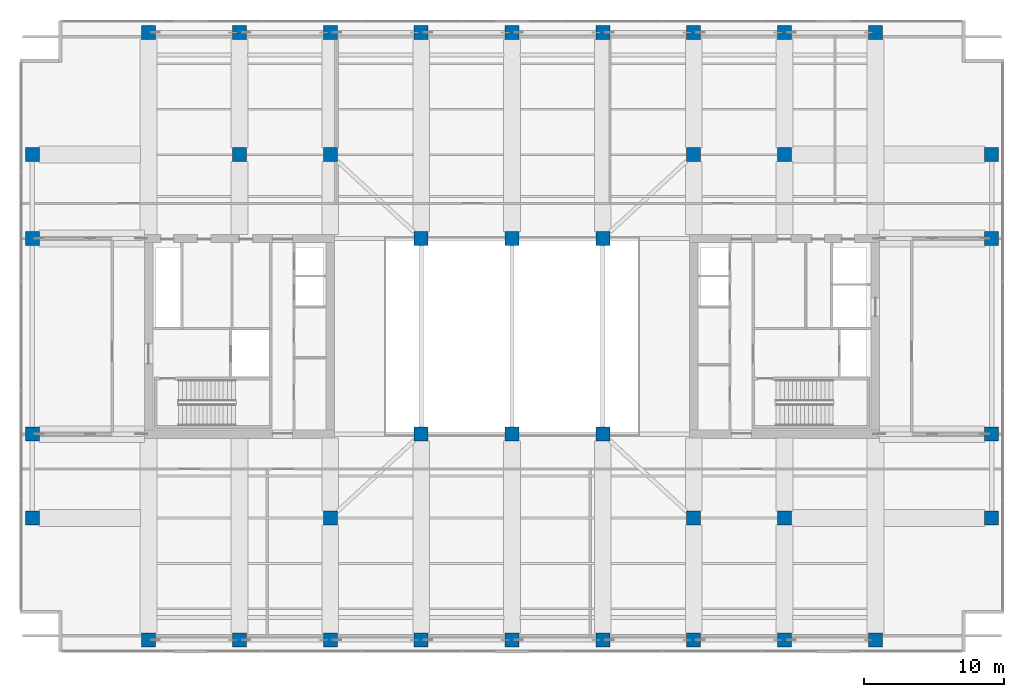
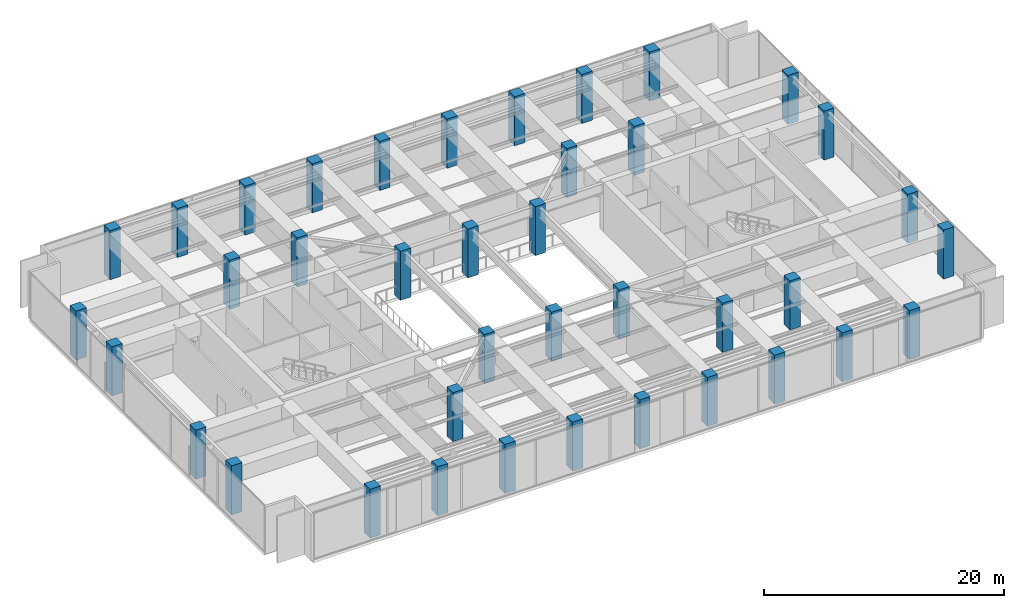
# One storey, part 1 of 28: 39 columns.
"""IFC4 building model written with IfcOpenShell, lengths in metres."""

import ifcopenshell
import ifcopenshell.guid

model = None  # the IFC model being written
_history = None  # IfcOwnerHistory: only IFC2X3 demands one
_inside = {}  # id of a spatial element -> (the spatial element, [elements in it])
_under = {}  # id of a project, library or spatial element -> (it, [spatial elements below it])
_declared = {}  # id of a project -> (the project, [libraries it declares])
_typed = {}  # id of a type object -> (the type object, [elements of that type])
_made_of = {}  # id of a material, layer set ... -> (it, [elements and type objects made of it])


def new_model(schema):
    """Start an empty IFC model of exactly this schema.

    Asked for "IFC4X3", IfcOpenShell would pick the latest addendum, in which some entities
    have other attributes; the version numbers below select the first issue.
    IFC2X3 requires an IfcOwnerHistory on every rooted entity: one is made here for all.
    """
    global model, _history
    if schema == "IFC4X3":
        model = ifcopenshell.file(schema_version=(4, 3, 0, 0))
    else:
        model = ifcopenshell.file(schema=schema)
    _inside.clear()
    _under.clear()
    _declared.clear()
    _typed.clear()
    _made_of.clear()
    _history = None
    if model.schema == "IFC2X3":
        org = make("IfcOrganization", Name="unknown")
        user = make(
            "IfcPersonAndOrganization",
            ThePerson=make("IfcPerson", FamilyName="unknown"),
            TheOrganization=org,
        )
        app = make(
            "IfcApplication",
            ApplicationDeveloper=org,
            Version="unknown",
            ApplicationFullName="unknown",
            ApplicationIdentifier="unknown",
        )
        _history = make(
            "IfcOwnerHistory",
            OwningUser=user,
            OwningApplication=app,
            ChangeAction="ADDED",
            CreationDate=0,
        )
    return model


def make(cls, **values):
    """One entity of the class cls with the attributes given. An attribute that is None is left unset."""
    return model.create_entity(
        cls, **{name: value for name, value in values.items() if value is not None}
    )


def rooted(cls, **values):
    """An entity with a GlobalId (a new one), such as an element, a storey or a relation."""
    return make(cls, GlobalId=ifcopenshell.guid.new(), OwnerHistory=_history, **values)


def si_unit(unit_type, name, prefix=None):
    """IfcSIUnit, for example si_unit("LENGTHUNIT", "METRE", prefix="MILLI")."""
    return make("IfcSIUnit", UnitType=unit_type, Prefix=prefix, Name=name)


def assignment(units):
    """IfcUnitAssignment: the units of a project."""
    return None if units is None else make("IfcUnitAssignment", Units=units)


def point(xyz):
    """IfcCartesianPoint."""
    return None if xyz is None else make("IfcCartesianPoint", Coordinates=xyz)


def direction(xyz):
    """IfcDirection."""
    return None if xyz is None else make("IfcDirection", DirectionRatios=xyz)


def frame(location, z_axis=None, x_axis=None):
    """IfcAxis2Placement3D, a coordinate frame: its origin and axes. An axis left out is left unset."""
    return make(
        "IfcAxis2Placement3D",
        Location=point(location),
        Axis=direction(z_axis),
        RefDirection=direction(x_axis),
    )


def frame_2d(location, x_axis=None):
    """IfcAxis2Placement2D, a coordinate frame in the plane: its origin and x axis."""
    return make(
        "IfcAxis2Placement2D", Location=point(location), RefDirection=direction(x_axis)
    )


def origin():
    """The frame at (0, 0, 0) with its axes left unset."""
    return frame((0.0, 0.0, 0.0))


def origin_2d():
    """The frame at (0, 0) in the plane with its x axis left unset."""
    return frame_2d((0.0, 0.0))


def place(relative_to, where):
    """IfcLocalPlacement: puts the frame where relative to a parent placement (None: the world)."""
    return make(
        "IfcLocalPlacement", PlacementRelTo=relative_to, RelativePlacement=where
    )


def context(
    kind, dimensions, precision=None, world=None, true_north=None, identifier=None
):
    """IfcGeometricRepresentationContext, for example the 3D "Model" context."""
    return make(
        "IfcGeometricRepresentationContext",
        ContextIdentifier=identifier,
        ContextType=kind,
        CoordinateSpaceDimension=dimensions,
        Precision=precision,
        WorldCoordinateSystem=world,
        TrueNorth=true_north,
    )


def subcontext(parent, identifier, kind, view, scale=None):
    """IfcGeometricRepresentationSubContext, for example "Body" below "Model"."""
    return make(
        "IfcGeometricRepresentationSubContext",
        ContextIdentifier=identifier,
        ContextType=kind,
        ParentContext=parent,
        TargetScale=scale,
        TargetView=view,
    )


def project(units=None, contexts=None):
    """IfcProject with its units and contexts."""
    return rooted(
        "IfcProject",
        Name="project",
        RepresentationContexts=contexts,
        UnitsInContext=assignment(units),
    )


def spatial(cls, under=None, at=None, **own):
    """A site, building, storey or space (cls), placed at a placement, below another one or the project."""
    s = rooted(cls, ObjectPlacement=at, **own)
    if under is not None:
        _under.setdefault(under.id(), (under, []))[1].append(s)
    return s


def profile(cls, at=None, kind="AREA", **sizes):
    """A parametric profile (cls). Its sizes go by their IFC names, for example OverallWidth=200.0."""
    return make(cls, ProfileType=kind, Position=at, **sizes)


def rectangle(**sizes):
    """IfcRectangleProfileDef."""
    return profile("IfcRectangleProfileDef", **sizes)


def extrude(swept, where, along, depth):
    """IfcExtrudedAreaSolid: the profile swept, set in the frame where, extruded along a direction by depth."""
    return make(
        "IfcExtrudedAreaSolid",
        SweptArea=swept,
        Position=where,
        ExtrudedDirection=direction(along),
        Depth=depth,
    )


def shape(context_of_items, identifier, shape_type, items):
    """IfcShapeRepresentation: the items that make up one representation, for example the "Body"."""
    return make(
        "IfcShapeRepresentation",
        ContextOfItems=context_of_items,
        RepresentationIdentifier=identifier,
        RepresentationType=shape_type,
        Items=items,
    )


def material(Name=None, Category=None):
    """IfcMaterial."""
    return make("IfcMaterial", Name=Name, Category=Category)


def material_profile(
    of_material, cross_section, Name=None, Category=None, Priority=None
):
    """IfcMaterialProfile: a cross section and its material."""
    return make(
        "IfcMaterialProfile",
        Name=Name,
        Material=of_material,
        Profile=cross_section,
        Priority=Priority,
        Category=Category,
    )


def profile_set(profiles, Name=None, composite=None):
    """IfcMaterialProfileSet."""
    return make(
        "IfcMaterialProfileSet",
        Name=Name,
        MaterialProfiles=profiles,
        CompositeProfile=composite,
    )


def made_of(thing, what):
    """Note that an element or type object is made of a material, layer set ...; save() writes the relation."""
    if what is not None:
        _made_of.setdefault(what.id(), (what, []))[1].append(thing)
    return thing


def type_object(cls, material=None, **own):
    """A type object (cls), such as IfcWallType, which elements share."""
    return made_of(rooted(cls, **own), material)


def element(
    cls,
    number,
    at=None,
    inside=None,
    cuts=None,
    type_object=None,
    material=None,
    context=None,
    identifier="Body",
    shape_type=None,
    held_by="IfcProductDefinitionShape",
    body=None,
    shapes=None,
    **own,
):
    """One element of the class cls, such as IfcWall. Its Tag is "e" and its number.

    at: its placement. inside: the storey or other place that contains it. cuts: it is an
    opening in that element (IfcRelVoidsElement). A single representation is given by context,
    identifier, shape_type and body (its items); several are given by shapes. held_by: the class
    of the entity that holds the representations. save() writes the other relations.
    """
    e = rooted(cls, Tag="e%d" % number, ObjectPlacement=at, **own)
    if body is not None:
        shapes = [shape(context, identifier, shape_type, body)]
    if shapes is not None:
        e.Representation = make(held_by, Representations=shapes)
    if inside is not None:
        _inside.setdefault(inside.id(), (inside, []))[1].append(e)
    if cuts is not None:
        rooted(
            "IfcRelVoidsElement", RelatingBuildingElement=cuts, RelatedOpeningElement=e
        )
    if type_object is not None:
        _typed.setdefault(type_object.id(), (type_object, []))[1].append(e)
    return made_of(e, material)


def aggregate(whole, parts):
    """IfcRelAggregates: a whole, such as a stair, and the parts it consists of."""
    return rooted("IfcRelAggregates", RelatingObject=whole, RelatedObjects=parts)


def save(model, path):
    """Write the relations noted so far, then the file.

    IfcRelAggregates (storeys below a building ...), IfcRelContainedInSpatialStructure (elements
    in a storey), IfcRelDefinesByType, IfcRelAssociatesMaterial and IfcRelDeclares: one each for
    every whole, place, type object, material and project.
    """
    for whole, parts in _under.values():
        aggregate(whole, parts)
    for where, things in _inside.values():
        rooted(
            "IfcRelContainedInSpatialStructure",
            RelatedElements=things,
            RelatingStructure=where,
        )
    for kind, things in _typed.values():
        rooted("IfcRelDefinesByType", RelatedObjects=things, RelatingType=kind)
    for what, things in _made_of.values():
        rooted("IfcRelAssociatesMaterial", RelatedObjects=things, RelatingMaterial=what)
    for by, libraries in _declared.values():
        rooted("IfcRelDeclares", RelatingContext=by, RelatedDefinitions=libraries)
    model.write(path)


model = new_model("IFC4")

# Units and contexts
model_context = context("Model", 3, precision=1e-05, world=origin(), true_north=direction((0.0, 1.0)))
body_context = subcontext(model_context, "Body", "Model", "MODEL_VIEW")
ifc_project = project(units=[si_unit("LENGTHUNIT", "METRE"), si_unit("AREAUNIT", "SQUARE_METRE"), si_unit("VOLUMEUNIT", "CUBIC_METRE"), si_unit("PLANEANGLEUNIT", "RADIAN"), si_unit("MASSUNIT", "GRAM", prefix="KILO")], contexts=[model_context])

# Site, building, storey
site_placement = place(None, origin())
site = spatial("IfcSite", under=ifc_project, at=site_placement, CompositionType="ELEMENT")
building_placement = place(site_placement, origin())
building = spatial("IfcBuilding", under=site, at=building_placement, Name="Putna Gate Headquarters", CompositionType="ELEMENT")
storey_placement = place(building_placement, frame((0.0, 0.0, 197.39990234375)))
storey = spatial("IfcBuildingStorey", under=building, at=storey_placement, Name="L49", CompositionType="ELEMENT", Elevation=197.39990234375)

# Columns
ifc_material = material(Name="Concrete C50/60", Category="concrete")
ifc_material_profile_1 = material_profile(ifc_material, rectangle(XDim=1.0, YDim=1.0, at=origin_2d()), Name="Concrete C50/60")
ifc_profile_set_1 = profile_set([ifc_material_profile_1], Name="Concrete C50/60")
column_type_1 = type_object("IfcColumnType", Name="COL-RC1000-EXT", PredefinedType="COLUMN", material=ifc_profile_set_1)
for number, where, z_axis, x_axis, name in (
    (1, (13.0, 4.280029296875, 0.0), (0.0, 0.0, 1.0), (1.0, 0.0, 0.0), "L49 Column CP-S13"),
    (2, (13.0, 47.719970703125, 0.0), (0.0, 0.0, 1.0), (1.0, 0.0, 0.0), "L49 Column CP-N13"),
    (3, (19.5, 4.280029296875, 0.0), (0.0, 0.0, 1.0), (1.0, 0.0, 0.0), "L49 Column CP-S19"),
    (4, (19.5, 47.719970703125, 0.0), (0.0, 0.0, 1.0), (1.0, 0.0, 0.0), "L49 Column CP-N19"),
    (5, (26.0, 4.280029296875, 0.0), (0.0, 0.0, 1.0), (1.0, 0.0, 0.0), "L49 Column CP-S26"),
    (6, (26.0, 47.719970703125, 0.0), (0.0, 0.0, 1.0), (1.0, 0.0, 0.0), "L49 Column CP-N26"),
    (7, (32.5, 4.280029296875, 0.0), (0.0, 0.0, 1.0), (1.0, 0.0, 0.0), "L49 Column CP-S32"),
    (8, (32.5, 47.719970703125, 0.0), (0.0, 0.0, 1.0), (1.0, 0.0, 0.0), "L49 Column CP-N32"),
    (9, (39.0, 4.280029296875, 0.0), (0.0, 0.0, 1.0), (1.0, 0.0, 0.0), "L49 Column CP-S39"),
    (10, (39.0, 47.719970703125, 0.0), (0.0, 0.0, 1.0), (1.0, 0.0, 0.0), "L49 Column CP-N39"),
    (11, (45.5, 4.280029296875, 0.0), (0.0, 0.0, 1.0), (1.0, 0.0, 0.0), "L49 Column CP-S45"),
    (12, (45.5, 47.719970703125, 0.0), (0.0, 0.0, 1.0), (1.0, 0.0, 0.0), "L49 Column CP-N45"),
    (13, (52.0, 4.280029296875, 0.0), (0.0, 0.0, 1.0), (1.0, 0.0, 0.0), "L49 Column CP-S52"),
    (14, (52.0, 47.719970703125, 0.0), (0.0, 0.0, 1.0), (1.0, 0.0, 0.0), "L49 Column CP-N52"),
    (15, (58.5, 4.280029296875, 0.0), (0.0, 0.0, 1.0), (1.0, 0.0, 0.0), "L49 Column CP-S58"),
    (16, (58.5, 47.719970703125, 0.0), (0.0, 0.0, 1.0), (1.0, 0.0, 0.0), "L49 Column CP-N58"),
    (17, (65.0, 4.280029296875, 0.0), (0.0, 0.0, 1.0), (1.0, 0.0, 0.0), "L49 Column CP-S65"),
    (18, (65.0, 47.719970703125, 0.0), (0.0, 0.0, 1.0), (1.0, 0.0, 0.0), "L49 Column CP-N65"),
    (19, (4.679931640625, 13.0, 0.0), (0.0, 0.0, 1.0), (1.0, 0.0, 0.0), "L49 Column CP-W13"),
    (20, (73.320068359375, 13.0, 0.0), (0.0, 0.0, 1.0), (1.0, 0.0, 0.0), "L49 Column CP-E13"),
    (21, (4.679931640625, 19.0, 0.0), (0.0, 0.0, 1.0), (1.0, 0.0, 0.0), "L49 Column CP-W19"),
    (22, (73.320068359375, 19.0, 0.0), (0.0, 0.0, 1.0), (1.0, 0.0, 0.0), "L49 Column CP-E19"),
    (23, (4.679931640625, 33.0, 0.0), (0.0, 0.0, 1.0), (1.0, 0.0, 0.0), "L49 Column CP-W33"),
    (24, (73.320068359375, 33.0, 0.0), (0.0, 0.0, 1.0), (1.0, 0.0, 0.0), "L49 Column CP-E33"),
    (25, (4.679931640625, 39.0, 0.0), (0.0, 0.0, 1.0), (1.0, 0.0, 0.0), "L49 Column CP-W39"),
    (26, (73.320068359375, 39.0, 0.0), (0.0, 0.0, 1.0), (1.0, 0.0, 0.0), "L49 Column CP-E39"),
):
    element("IfcColumn", number, at=place(storey_placement, frame(where, z_axis=z_axis, x_axis=x_axis)), inside=storey, type_object=column_type_1, Name=name, PredefinedType="COLUMN", context=body_context, shape_type="SweptSolid", body=[
        extrude(rectangle(XDim=1.0, YDim=1.0, at=origin_2d()), origin(), (0.0, 0.0, 1.0), 5.0),
    ])
ifc_material_profile_2 = material_profile(ifc_material, rectangle(XDim=1.0, YDim=1.0, at=origin_2d()), Name="Concrete C50/60")
ifc_profile_set_2 = profile_set([ifc_material_profile_2], Name="Concrete C50/60")
column_type_2 = type_object("IfcColumnType", Name="COL-RC1000-INT", PredefinedType="COLUMN", material=ifc_profile_set_2)
for number, where, z_axis, x_axis, name in (
    (27, (19.5, 39.0, 0.0), (0.0, 0.0, 1.0), (1.0, 0.0, 0.0), "L49 Column CSI-WN"),
    (28, (58.5, 13.0, 0.0), (0.0, 0.0, 1.0), (1.0, 0.0, 0.0), "L49 Column CSI-ES"),
    (29, (58.5, 39.0, 0.0), (0.0, 0.0, 1.0), (1.0, 0.0, 0.0), "L49 Column CSI-EN"),
    (30, (32.5, 19.0, 0.0), (0.0, 0.0, 1.0), (1.0, 0.0, 0.0), "L49 Column CAI-S32"),
    (31, (32.5, 33.0, 0.0), (0.0, 0.0, 1.0), (1.0, 0.0, 0.0), "L49 Column CAI-N32"),
    (32, (39.0, 19.0, 0.0), (0.0, 0.0, 1.0), (1.0, 0.0, 0.0), "L49 Column CAI-S39"),
    (33, (39.0, 33.0, 0.0), (0.0, 0.0, 1.0), (1.0, 0.0, 0.0), "L49 Column CAI-N39"),
    (34, (45.5, 19.0, 0.0), (0.0, 0.0, 1.0), (1.0, 0.0, 0.0), "L49 Column CAI-S45"),
    (35, (45.5, 33.0, 0.0), (0.0, 0.0, 1.0), (1.0, 0.0, 0.0), "L49 Column CAI-N45"),
    (36, (26.0, 13.0, 0.0), (0.0, 0.0, 1.0), (1.0, 0.0, 0.0), "L49 Column CAP-WS"),
    (37, (26.0, 39.0, 0.0), (0.0, 0.0, 1.0), (1.0, 0.0, 0.0), "L49 Column CAP-WN"),
    (38, (52.0, 13.0, 0.0), (0.0, 0.0, 1.0), (1.0, 0.0, 0.0), "L49 Column CAP-ES"),
    (39, (52.0, 39.0, 0.0), (0.0, 0.0, 1.0), (1.0, 0.0, 0.0), "L49 Column CAP-EN"),
):
    element("IfcColumn", number, at=place(storey_placement, frame(where, z_axis=z_axis, x_axis=x_axis)), inside=storey, type_object=column_type_2, Name=name, PredefinedType="COLUMN", context=body_context, shape_type="SweptSolid", body=[
        extrude(rectangle(XDim=1.0, YDim=1.0, at=origin_2d()), origin(), (0.0, 0.0, 1.0), 5.0),
    ])

save(model, "model.ifc")
